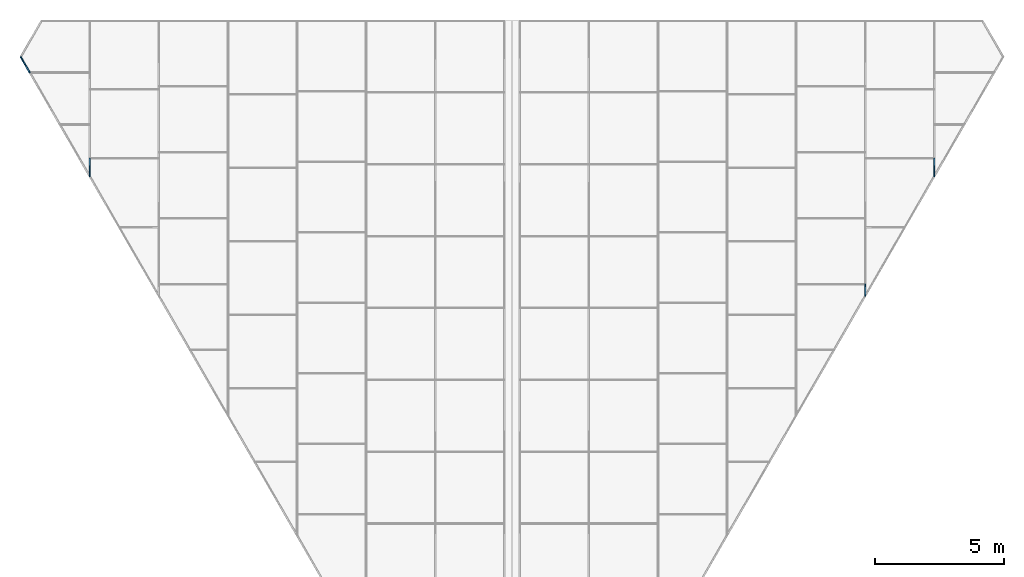
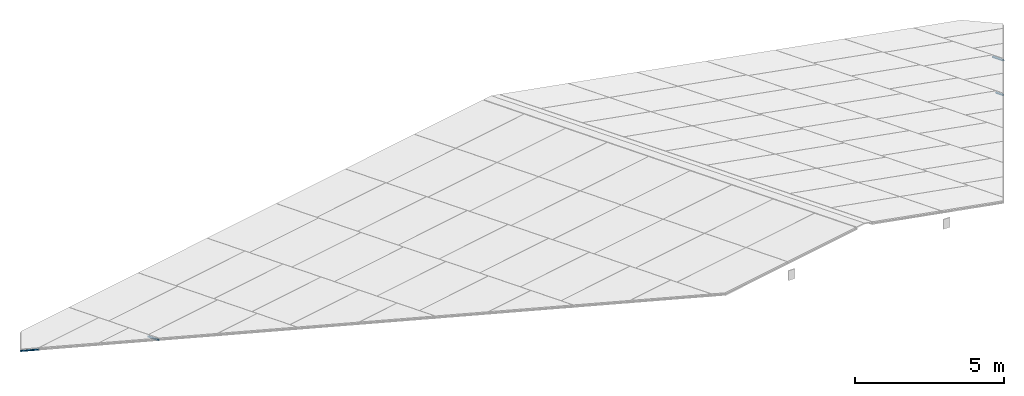
# One storey, part 6 of 12: 4 members, 4 elements without a shape of their own.
"""IFC4 building model written with IfcOpenShell, lengths in metres."""

from ifc_helpers import new_model, si_unit, direction, frame, origin, origin_2d, place, context, subcontext, project, spatial, rectangle, extrude, material, material_profile, profile_set, type_object, element, aggregate, save


model = new_model("IFC4")

# Units and contexts
model_context = context("Model", 3, precision=1e-05, world=origin(), true_north=direction((0.0, 1.0)))
body_context = subcontext(model_context, "Body", "Model", "MODEL_VIEW")
ifc_project = project(units=[si_unit("LENGTHUNIT", "METRE"), si_unit("AREAUNIT", "SQUARE_METRE"), si_unit("VOLUMEUNIT", "CUBIC_METRE"), si_unit("PLANEANGLEUNIT", "RADIAN"), si_unit("MASSUNIT", "GRAM", prefix="KILO")], contexts=[model_context])

# Site, building, storey
site_placement = place(None, origin())
site = spatial("IfcSite", under=ifc_project, at=site_placement, CompositionType="ELEMENT")
building_placement = place(site_placement, origin())
building = spatial("IfcBuilding", under=site, at=building_placement, Name="Aloe Facet Convention Tower", CompositionType="ELEMENT")
storey_placement = place(building_placement, frame((0.0, 0.0, 306.5)))
storey = spatial("IfcBuildingStorey", under=building, at=storey_placement, Name="C6", CompositionType="ELEMENT", Elevation=306.5)

# Curtain wall, member
ifc_material_1 = material(Name="Aluminium, anodised", Category="aluminium")
curtain_wall_type = type_object("IfcCurtainWallType", Name="EV-CW-LANTERN", PredefinedType="USERDEFINED", material=ifc_material_1)
curtain_wall_1_placement = place(storey_placement, origin())
curtain_wall_1 = element("IfcCurtainWall", 1, at=curtain_wall_1_placement, inside=storey, type_object=curtain_wall_type, Name="CW-RW42", ObjectType="ROOF LANTERN GLAZING", PredefinedType="USERDEFINED")
ifc_material_2 = material(Name="Aluminium, anodised", Category="aluminium")
ifc_material_profile = material_profile(ifc_material_2, rectangle(XDim=0.050048828125, YDim=0.0400390625, at=origin_2d()), Name="AL 50x40")
ifc_profile_set = profile_set([ifc_material_profile], Name="Aluminium, anodised")
member_type = type_object("IfcMemberType", Name="EV-MULL-LANTERN", PredefinedType="MULLION", material=ifc_profile_set)
member_1_placement = place(storey_placement, frame((63.663818359375, 128.465576171875, -9.375732421875), z_axis=(0.0, 0.929165320655, -0.369664451755), x_axis=(-1.0, 0.0, 0.0)))
member_1 = element("IfcMember", 2, at=member_1_placement, type_object=member_type, Name="Glazing bar W42.3", PredefinedType="MULLION", context=body_context, shape_type="SweptSolid", body=[
    extrude(rectangle(XDim=0.050048828125, YDim=0.0400390625, at=origin_2d()), origin(), (0.0, 0.0, 1.0), 0.756103515625),
])
aggregate(curtain_wall_1, [member_1])

curtain_wall_2_placement = place(storey_placement, origin())
curtain_wall_2 = element("IfcCurtainWall", 3, at=curtain_wall_2_placement, inside=storey, type_object=curtain_wall_type, Name="CW-RW47", ObjectType="ROOF LANTERN GLAZING", PredefinedType="USERDEFINED")
member_2_placement = place(storey_placement, frame((61.34130859375, 132.488525390625, -11.39453125), z_axis=(-0.458621096716, 0.794111703729, -0.39881485886), x_axis=(-0.865959057869, -0.500114896893, 0.0)))
member_2 = element("IfcMember", 4, at=member_2_placement, type_object=member_type, Name="Glazing bar W47.2", PredefinedType="MULLION", context=body_context, shape_type="SweptSolid", body=[
    extrude(rectangle(XDim=0.050048828125, YDim=0.0400390625, at=origin_2d()), origin(), (0.0, 0.0, 1.0), 0.763427734375),
])
aggregate(curtain_wall_2, [member_2])

curtain_wall_3_placement = place(storey_placement, origin())
curtain_wall_3 = element("IfcCurtainWall", 5, at=curtain_wall_3_placement, inside=storey, type_object=curtain_wall_type, Name="CW-RE36", ObjectType="ROOF LANTERN GLAZING", PredefinedType="USERDEFINED")
member_3_placement = place(storey_placement, frame((93.663330078125, 124.3046875, -7.23876953125), z_axis=(0.0, -0.929076484172, 0.369887667487), x_axis=(1.0, 0.0, 0.0)))
member_3 = element("IfcMember", 6, at=member_3_placement, type_object=member_type, Name="Glazing bar E36.3", PredefinedType="MULLION", context=body_context, shape_type="SweptSolid", body=[
    extrude(rectangle(XDim=0.050048828125, YDim=0.0400390625, at=origin_2d()), origin(), (0.0, 0.0, 1.0), 0.504150390625),
])
aggregate(curtain_wall_3, [member_3])

curtain_wall_4_placement = place(storey_placement, origin())
curtain_wall_4 = element("IfcCurtainWall", 7, at=curtain_wall_4_placement, inside=storey, type_object=curtain_wall_type, Name="CW-RE42", ObjectType="ROOF LANTERN GLAZING", PredefinedType="USERDEFINED")
member_4_placement = place(storey_placement, frame((96.336181640625, 129.168212890625, -9.6552734375), z_axis=(0.0, -0.929165320655, 0.369664451755), x_axis=(1.0, 0.0, 0.0)))
member_4 = element("IfcMember", 8, at=member_4_placement, type_object=member_type, Name="Glazing bar E42.3", PredefinedType="MULLION", context=body_context, shape_type="SweptSolid", body=[
    extrude(rectangle(XDim=0.050048828125, YDim=0.0400390625, at=origin_2d()), origin(), (0.0, 0.0, 1.0), 0.756103515625),
])
aggregate(curtain_wall_4, [member_4])

save(model, "model.ifc")
